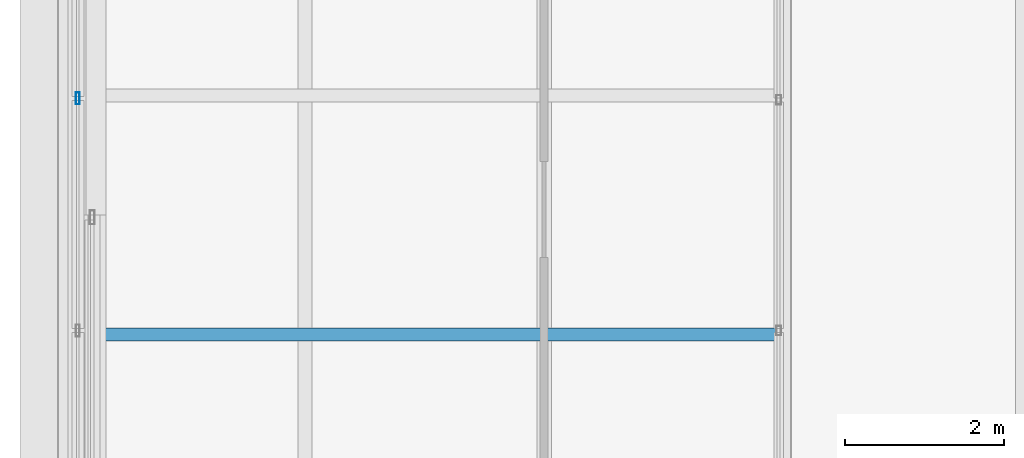
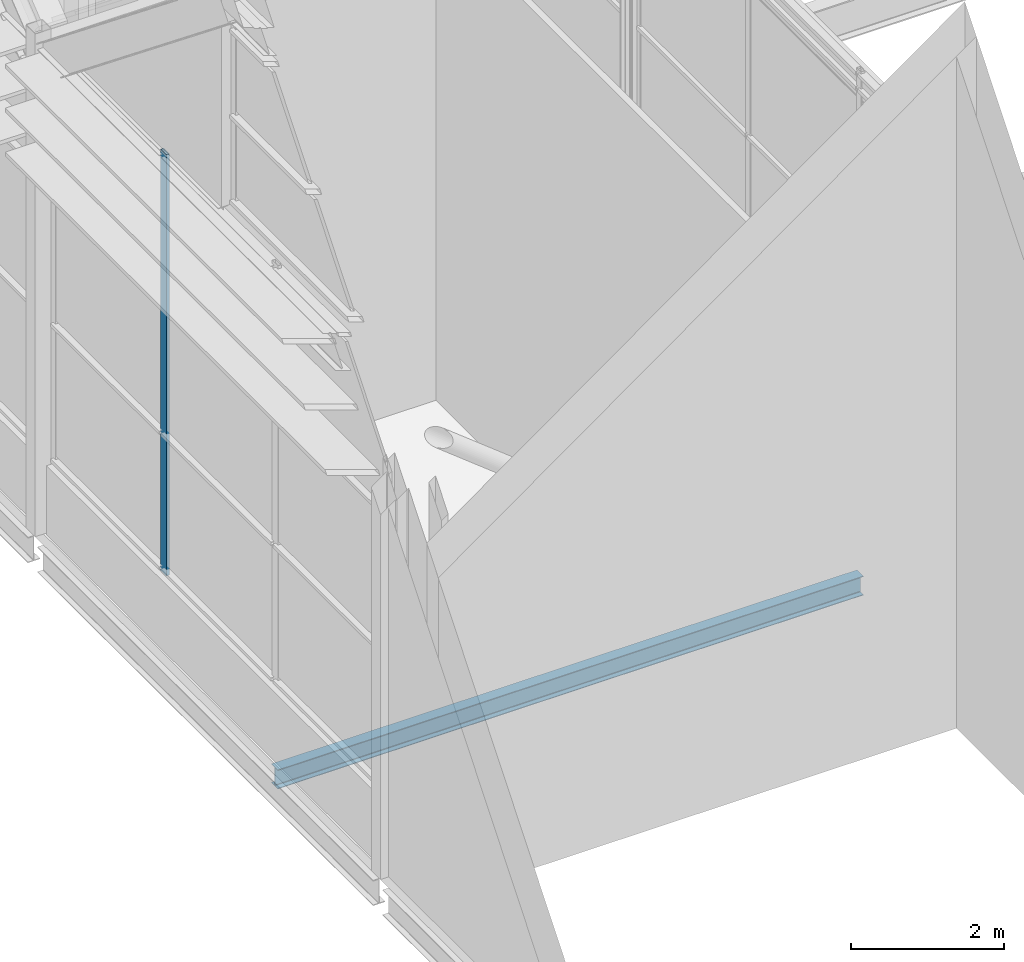
# One storey, part 17 of 144: 1 beam, 1 member, 1 element without a shape of its own.
"""IFC4 building model written with IfcOpenShell, lengths in metres."""

from ifc_helpers import new_model, si_unit, direction, frame, origin, origin_2d, place, context, subcontext, project, spatial, hollow_rectangle, i_section, extrude, material, layer, layer_set, material_profile, profile_set, type_object, element, aggregate, save


model = new_model("IFC4")

# Units and contexts
model_context = context("Model", 3, precision=1e-05, world=origin(), true_north=direction((0.0, 1.0)))
body_context = subcontext(model_context, "Body", "Model", "MODEL_VIEW")
ifc_project = project(units=[si_unit("LENGTHUNIT", "METRE"), si_unit("AREAUNIT", "SQUARE_METRE"), si_unit("VOLUMEUNIT", "CUBIC_METRE"), si_unit("PLANEANGLEUNIT", "RADIAN"), si_unit("MASSUNIT", "GRAM", prefix="KILO")], contexts=[model_context])

# Site, building, storey
site_placement = place(None, origin())
site = spatial("IfcSite", under=ifc_project, at=site_placement, CompositionType="ELEMENT")
building_placement = place(site_placement, origin())
building = spatial("IfcBuilding", under=site, at=building_placement, Name="Shorebreak Coast Museum", CompositionType="ELEMENT")
storey_placement = place(building_placement, frame((0.0, 0.0, 36.0)))
storey = spatial("IfcBuildingStorey", under=building, at=storey_placement, Name="L06", CompositionType="ELEMENT", Elevation=36.0)

# Beam
ifc_material_1 = material(Name="Steel Grade 300", Category="steel")
ifc_material_profile_1 = material_profile(ifc_material_1, i_section(OverallWidth=0.1650390625, OverallDepth=0.303955078125, WebThickness=0.006103515625, FlangeThickness=0.01025390625, FilletRadius=0.011474609375, at=origin_2d()), Name="310UB40.4")
ifc_profile_set_1 = profile_set([ifc_material_profile_1], Name="Steel Grade 300")
beam_type = type_object("IfcBeamType", Name="Floor joist 310UB40.4", PredefinedType="JOIST", material=ifc_profile_set_1)
beam_placement = place(storey_placement, frame((54.089111328125, 66.0, -0.326904296875), z_axis=(1.0, 0.0, 0.0), x_axis=(0.0, 1.0, 0.0)))
element("IfcBeam", 1, at=beam_placement, inside=storey, type_object=beam_type, Name="Floor joist L06 bay 7H at 3000 mm", PredefinedType="JOIST", context=body_context, shape_type="SweptSolid", body=[
    extrude(i_section(OverallWidth=0.1650390625, OverallDepth=0.303955078125, WebThickness=0.006103515625, FlangeThickness=0.01025390625, FilletRadius=0.011474609375, at=origin_2d()), origin(), (0.0, 0.0, 1.0), 8.8154296875),
])

# Curtain wall, member
ifc_material_2 = material(Name="Aluminium", Category="aluminium")
ifc_layer = layer(ifc_material_2, 0.14990234375)
ifc_layer_set = layer_set([ifc_layer], Name="Aluminium")
curtain_wall_type = type_object("IfcCurtainWallType", Name="Storefront curtain wall", PredefinedType="NOTDEFINED", material=ifc_layer_set)
curtain_wall_placement = place(storey_placement, origin())
curtain_wall = element("IfcCurtainWall", 2, at=curtain_wall_placement, inside=storey, type_object=curtain_wall_type, Name="Atrium Hall glazing L06 W 27", PredefinedType="NOTDEFINED")
ifc_material_3 = material(Name="Aluminium", Category="aluminium")
ifc_material_profile_2 = material_profile(ifc_material_3, hollow_rectangle(XDim=0.050048828125, YDim=0.14990234375, WallThickness=0.00390625, at=origin_2d()), Name="AL 150x50 RHS")
ifc_profile_set_2 = profile_set([ifc_material_profile_2], Name="Aluminium")
member_type = type_object("IfcMemberType", Name="Storefront mullion 50 x 150", PredefinedType="MULLION", material=ifc_profile_set_2)
member_placement = place(storey_placement, frame((54.14990234375, 68.962890625, 1.10009765625), z_axis=(0.0, 0.0, 1.0), x_axis=(-1.0, 0.0, 0.0)))
member = element("IfcMember", 3, at=member_placement, type_object=member_type, Name="CW5 mullion 3", PredefinedType="MULLION", context=body_context, shape_type="SweptSolid", body=[
    extrude(hollow_rectangle(XDim=0.050048828125, YDim=0.14990234375, WallThickness=0.00390625, at=origin_2d()), origin(), (0.0, 0.0, 1.0), 6.699951171875),
])
aggregate(curtain_wall, [member])

save(model, "model.ifc")
